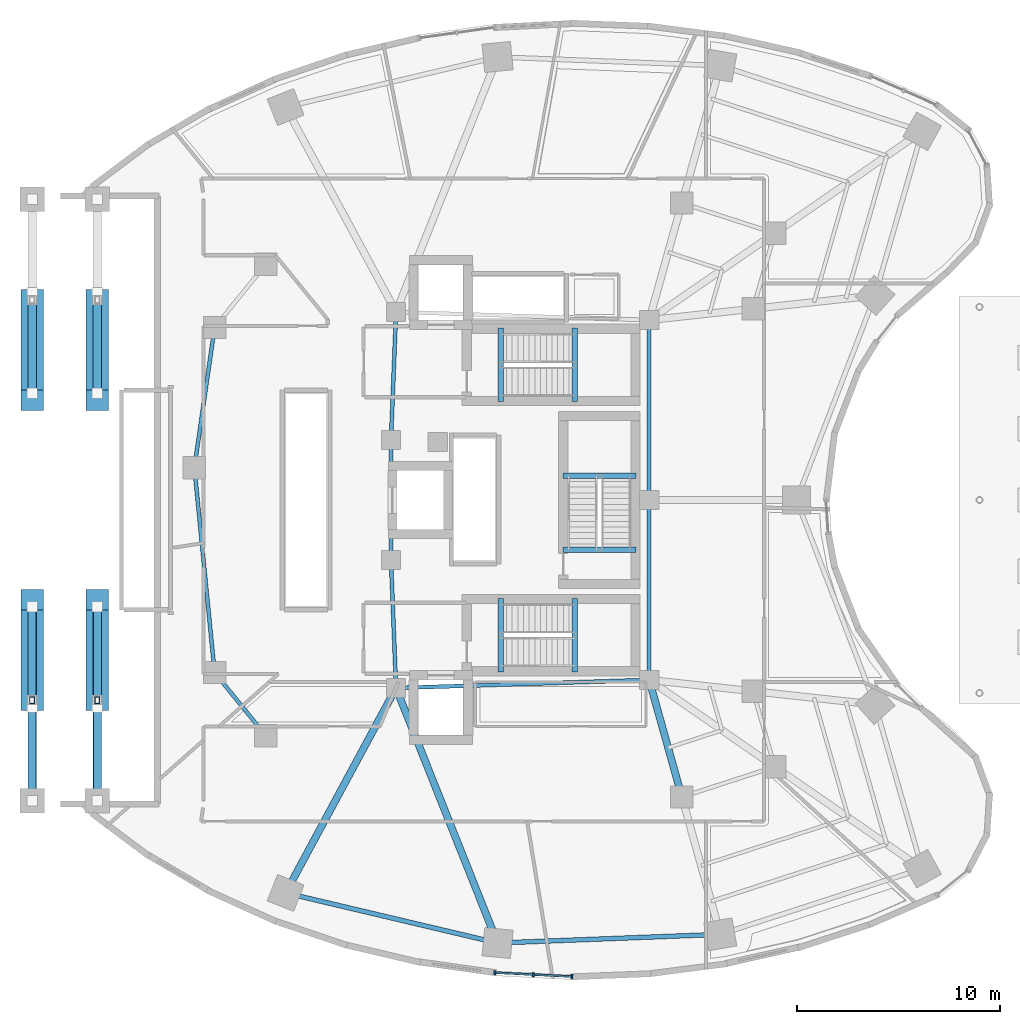
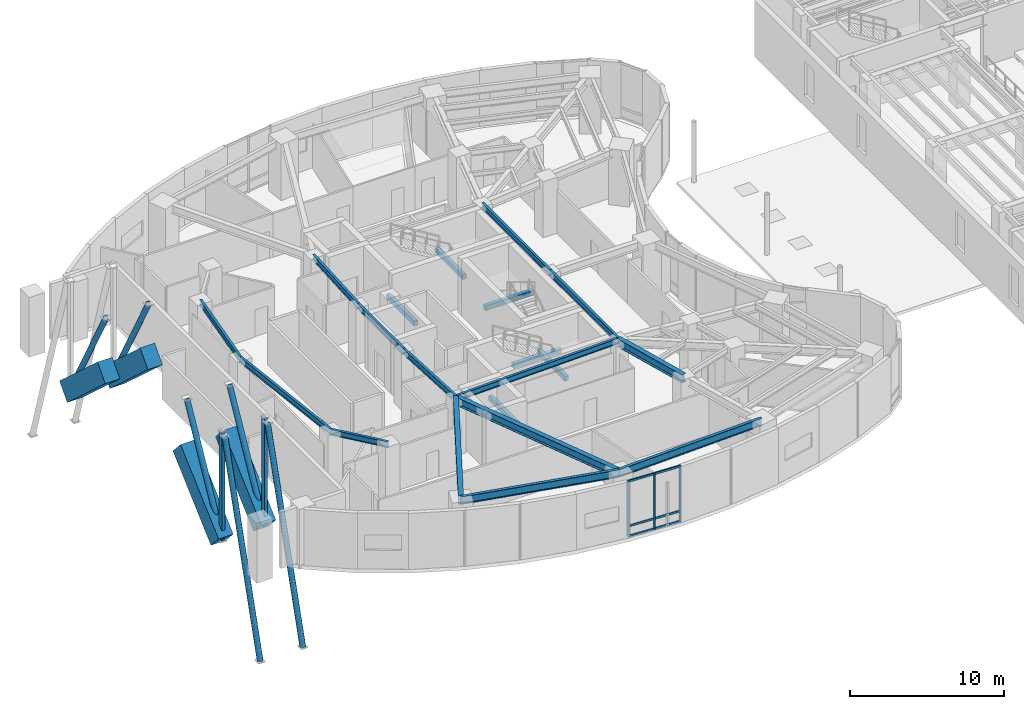
# One storey, part 6 of 24: 24 beams, 17 members, 1 element without a shape of its own.
"""IFC4 building model written with IfcOpenShell, lengths in metres."""

from ifc_helpers import new_model, si_unit, direction, frame, origin, origin_2d, place, context, subcontext, project, spatial, rectangle, hollow_rectangle, hollow_circle, i_section, extrude, material, layer, layer_set, material_profile, profile_set, type_object, element, aggregate, save


model = new_model("IFC4")

# Units and contexts
model_context = context("Model", 3, precision=1e-05, world=origin(), true_north=direction((0.0, 1.0)))
body_context = subcontext(model_context, "Body", "Model", "MODEL_VIEW")
ifc_project = project(units=[si_unit("LENGTHUNIT", "METRE"), si_unit("AREAUNIT", "SQUARE_METRE"), si_unit("VOLUMEUNIT", "CUBIC_METRE"), si_unit("PLANEANGLEUNIT", "RADIAN"), si_unit("MASSUNIT", "GRAM", prefix="KILO")], contexts=[model_context])

# Site, building, storey
site_placement = place(None, origin())
site = spatial("IfcSite", under=ifc_project, at=site_placement, CompositionType="ELEMENT")
building_placement = place(site_placement, origin())
building = spatial("IfcBuilding", under=site, at=building_placement, Name="Korentha Bioscience Tower", CompositionType="ELEMENT")
storey_placement = place(building_placement, frame((0.0, 0.0, 10.199951171875)))
storey = spatial("IfcBuildingStorey", under=building, at=storey_placement, Name="L02", CompositionType="ELEMENT", Elevation=10.199951171875)

# Members
ifc_material_1 = material(Name="Steel S355", Category="steel")
ifc_material_profile_1 = material_profile(ifc_material_1, hollow_circle(Radius=0.203125, WallThickness=0.02001953125, at=origin_2d()), Name="Steel S355")
ifc_profile_set_1 = profile_set([ifc_material_profile_1], Name="Steel S355 (AR-ST406)")
member_type_1 = type_object("IfcMemberType", Name="Arch Spandrel Diagonal Strut CHS 406.4x20", PredefinedType="STRUT", material=ifc_profile_set_1)
member_1_placement = place(storey_placement, frame((7.199951171875, 12.199951171875, -7.0), z_axis=(0.0, 0.292304060839, 0.956325434158), x_axis=(-1.0, 0.0, 0.0)))
element("IfcMember", 1, at=member_1_placement, inside=storey, type_object=member_type_1, Name="Parabolic Arch Spandrel Strut 1-1", PredefinedType="STRUT", context=body_context, shape_type="SweptSolid", body=[
    extrude(hollow_circle(Radius=0.203125, WallThickness=0.02001953125, at=origin_2d()), origin(), (0.0, 0.0, 1.0), 15.7373046875),
])
for number, where, z_axis, x_axis, name in (
    (2, (7.199951171875, 17.14990234375, -0.39990234375), (0.0, 0.478133685495, 0.878287070835), (-1.0, 0.0, 0.0), "Parabolic Arch Spandrel Strut 1-2"),
    (3, (7.199951171875, 36.85009765625, -0.39990234375), (0.0, -0.478133685495, 0.878287070835), (1.0, 0.0, 0.0), "Parabolic Arch Spandrel Strut 1-5"),
):
    element("IfcMember", number, at=place(storey_placement, frame(where, z_axis=z_axis, x_axis=x_axis)), inside=storey, type_object=member_type_1, Name=name, PredefinedType="STRUT", context=body_context, shape_type="SweptSolid", body=[
        extrude(hollow_circle(Radius=0.203125, WallThickness=0.02001953125, at=origin_2d()), origin(), (0.0, 0.0, 1.0), 9.620849609375),
    ])
member_2_placement = place(storey_placement, frame((10.39990234375, 12.199951171875, -7.0), z_axis=(0.0, 0.292304060839, 0.956325434158), x_axis=(-1.0, 0.0, 0.0)))
element("IfcMember", 4, at=member_2_placement, inside=storey, type_object=member_type_1, Name="Parabolic Arch Spandrel Strut 2-1", PredefinedType="STRUT", context=body_context, shape_type="SweptSolid", body=[
    extrude(hollow_circle(Radius=0.203125, WallThickness=0.02001953125, at=origin_2d()), origin(), (0.0, 0.0, 1.0), 15.7373046875),
])
for number, where, z_axis, x_axis, name in (
    (5, (10.39990234375, 17.14990234375, -0.39990234375), (0.0, 0.478133685495, 0.878287070835), (-1.0, 0.0, 0.0), "Parabolic Arch Spandrel Strut 2-2"),
    (6, (10.39990234375, 36.85009765625, -0.39990234375), (0.0, -0.478133685495, 0.878287070835), (1.0, 0.0, 0.0), "Parabolic Arch Spandrel Strut 2-5"),
):
    element("IfcMember", number, at=place(storey_placement, frame(where, z_axis=z_axis, x_axis=x_axis)), inside=storey, type_object=member_type_1, Name=name, PredefinedType="STRUT", context=body_context, shape_type="SweptSolid", body=[
        extrude(hollow_circle(Radius=0.203125, WallThickness=0.02001953125, at=origin_2d()), origin(), (0.0, 0.0, 1.0), 9.620849609375),
    ])
ifc_material_profile_2 = material_profile(ifc_material_1, hollow_rectangle(XDim=0.25, YDim=0.35009765625, WallThickness=0.01611328125, at=origin_2d()), Name="Steel S355")
ifc_profile_set_2 = profile_set([ifc_material_profile_2], Name="Steel S355 (BT-P350)")
member_type_2 = type_object("IfcMemberType", Name="Arch Spandrel Vertical Strut RHS 350x250x16", PredefinedType="STRUT", material=ifc_profile_set_2)
for number, where, z_axis, x_axis, name in (
    (7, (7.199951171875, 17.14990234375, -0.39990234375), (0.0, 0.0, 1.0), (1.0, 0.0, 0.0), "Parabolic Arch Spandrel Vertical 1-2"),
    (8, (10.39990234375, 17.14990234375, -0.39990234375), (0.0, 0.0, 1.0), (1.0, 0.0, 0.0), "Parabolic Arch Spandrel Vertical 2-2"),
):
    element("IfcMember", number, at=place(storey_placement, frame(where, z_axis=z_axis, x_axis=x_axis)), inside=storey, type_object=member_type_2, Name=name, PredefinedType="STRUT", context=body_context, shape_type="SweptSolid", body=[
        extrude(hollow_rectangle(XDim=0.25, YDim=0.35009765625, WallThickness=0.01611328125, at=origin_2d()), origin(), (0.0, 0.0, 1.0), 8.64990234375),
    ])

# Beams
ifc_material_2 = material(Name="Concrete C50", Category="concrete")
ifc_material_profile_3 = material_profile(ifc_material_2, rectangle(XDim=0.280029296875, YDim=0.3798828125, at=origin_2d()), Name="Concrete C50")
ifc_profile_set_3 = profile_set([ifc_material_profile_3], Name="Concrete C50 (ST-HB380)")
beam_type_1 = type_object("IfcBeamType", Name="Concrete Stair Header Beam RC 280x380", PredefinedType="BEAM", material=ifc_profile_set_3)
for number, where, z_axis, x_axis, name in (
    (9, (30.25, 31.85009765625, -0.18994140625), (0.0, 1.0, 0.0), (-1.0, 0.0, 0.0), "L02 ST-1 Concrete Stair Header Beam"),
    (10, (33.889892578125, 31.85009765625, 2.2099609375), (0.0, 1.0, 0.0), (-1.0, 0.0, 0.0), "L02 ST-1 Half-Landing Header Beam 1"),
    (11, (30.25, 18.550048828125, -0.18994140625), (0.0, 1.0, 0.0), (-1.0, 0.0, 0.0), "L02 ST-2 Concrete Stair Header Beam"),
    (12, (33.889892578125, 18.550048828125, 2.2099609375), (0.0, 1.0, 0.0), (-1.0, 0.0, 0.0), "L02 ST-2 Half-Landing Header Beam 1"),
    (13, (36.89990234375, 24.550048828125, -0.18994140625), (-1.0, 0.0, 0.0), (0.0, -1.0, 0.0), "L02 ST-3 Concrete Stair Header Beam"),
    (14, (36.89990234375, 28.18994140625, 2.2099609375), (-1.0, 0.0, 0.0), (0.0, -1.0, 0.0), "L02 ST-3 Half-Landing Header Beam 1"),
):
    element("IfcBeam", number, at=place(storey_placement, frame(where, z_axis=z_axis, x_axis=x_axis)), inside=storey, type_object=beam_type_1, Name=name, PredefinedType="BEAM", context=body_context, shape_type="SweptSolid", body=[
        extrude(rectangle(XDim=0.280029296875, YDim=0.3798828125, at=origin_2d()), origin(), (0.0, 0.0, 1.0), 3.599853515625),
    ])
ifc_material_profile_4 = material_profile(ifc_material_1, i_section(OverallWidth=0.18994140625, OverallDepth=0.45703125, WebThickness=0.009033203125, FlangeThickness=0.014404296875, at=origin_2d()), Name="Steel S355")
ifc_profile_set_4 = profile_set([ifc_material_profile_4], Name="Steel S355 (MB-460)")
beam_type_2 = type_object("IfcBeamType", Name="Mid-Ring Tie Girder W460x74", PredefinedType="BEAM", material=ifc_profile_set_4)
beam_1_placement = place(storey_placement, frame((16.174072265625, 35.489013671875, 4.221435546875), z_axis=(-0.14286846228, -0.989741684727, 0.0), x_axis=(0.989741684727, -0.14286846228, 0.0)))
element("IfcBeam", 15, at=beam_1_placement, inside=storey, type_object=beam_type_2, Name="L02 Mid-Ring Tie Girder 06", PredefinedType="BEAM", context=body_context, shape_type="SweptSolid", body=[
    extrude(i_section(OverallWidth=0.18994140625, OverallDepth=0.45703125, WebThickness=0.009033203125, FlangeThickness=0.014404296875, at=origin_2d()), origin(), (0.0, 0.0, 1.0), 6.967041015625),
])
beam_2_placement = place(storey_placement, frame((15.1787109375, 28.593505859375, 4.221435546875), z_axis=(0.098243909277, -0.995162365793, 0.0), x_axis=(0.995162365793, 0.098243909277, 0.0)))
element("IfcBeam", 16, at=beam_2_placement, inside=storey, type_object=beam_type_2, Name="L02 Mid-Ring Tie Girder 07", PredefinedType="BEAM", context=body_context, shape_type="SweptSolid", body=[
    extrude(i_section(OverallWidth=0.18994140625, OverallDepth=0.45703125, WebThickness=0.009033203125, FlangeThickness=0.014404296875, at=origin_2d()), origin(), (0.0, 0.0, 1.0), 10.131591796875),
])
beam_3_placement = place(storey_placement, frame((16.174072265625, 18.510986328125, 4.221435546875), z_axis=(0.629790009744, -0.776765436684, 0.0), x_axis=(0.776765436684, 0.629790009744, 0.0)))
element("IfcBeam", 17, at=beam_3_placement, inside=storey, type_object=beam_type_2, Name="L02 Mid-Ring Tie Girder 08", PredefinedType="BEAM", context=body_context, shape_type="SweptSolid", body=[
    extrude(i_section(OverallWidth=0.18994140625, OverallDepth=0.45703125, WebThickness=0.009033203125, FlangeThickness=0.014404296875, at=origin_2d()), origin(), (0.0, 0.0, 1.0), 3.998291015625),
])
beam_4_placement = place(storey_placement, frame((25.10009765625, 36.25, 4.221435546875), z_axis=(-0.039651025576, -0.999213588864, 0.0), x_axis=(0.999213588864, -0.039651025576, 0.0)))
element("IfcBeam", 18, at=beam_4_placement, inside=storey, type_object=beam_type_2, Name="L02 Core Ring Tie Girder 02", PredefinedType="BEAM", context=body_context, shape_type="SweptSolid", body=[
    extrude(i_section(OverallWidth=0.18994140625, OverallDepth=0.45703125, WebThickness=0.009033203125, FlangeThickness=0.014404296875, at=origin_2d()), origin(), (0.0, 0.0, 1.0), 6.304931640625),
])
beam_5_placement = place(storey_placement, frame((24.85009765625, 29.949951171875, 4.221435546875), z_axis=(0.0, -1.0, 0.0), x_axis=(1.0, 0.0, 0.0)))
element("IfcBeam", 19, at=beam_5_placement, inside=storey, type_object=beam_type_2, Name="L02 Core Ring Tie Girder 03", PredefinedType="BEAM", context=body_context, shape_type="SweptSolid", body=[
    extrude(i_section(OverallWidth=0.18994140625, OverallDepth=0.45703125, WebThickness=0.009033203125, FlangeThickness=0.014404296875, at=origin_2d()), origin(), (0.0, 0.0, 1.0), 5.89990234375),
])
beam_6_placement = place(storey_placement, frame((24.85009765625, 24.050048828125, 4.221435546875), z_axis=(0.039651025576, -0.999213588864, 0.0), x_axis=(0.999213588864, 0.039651025576, 0.0)))
element("IfcBeam", 20, at=beam_6_placement, inside=storey, type_object=beam_type_2, Name="L02 Core Ring Tie Girder 04", PredefinedType="BEAM", context=body_context, shape_type="SweptSolid", body=[
    extrude(i_section(OverallWidth=0.18994140625, OverallDepth=0.45703125, WebThickness=0.009033203125, FlangeThickness=0.014404296875, at=origin_2d()), origin(), (0.0, 0.0, 1.0), 6.304931640625),
])
beam_7_placement = place(storey_placement, frame((25.10009765625, 17.75, 4.221435546875), z_axis=(0.999484526071, 0.032104238723, 0.0), x_axis=(-0.032104238723, 0.999484526071, 0.0)))
element("IfcBeam", 21, at=beam_7_placement, inside=storey, type_object=beam_type_2, Name="L02 Core Ring Tie Girder 05", PredefinedType="BEAM", context=body_context, shape_type="SweptSolid", body=[
    extrude(i_section(OverallWidth=0.18994140625, OverallDepth=0.45703125, WebThickness=0.009033203125, FlangeThickness=0.014404296875, at=origin_2d()), origin(), (0.0, 0.0, 1.0), 12.456298828125),
])
for number, where, z_axis, x_axis, name in (
    (22, (37.550048828125, 18.14990234375, 4.221435546875), (0.0, 1.0, 0.0), (-1.0, 0.0, 0.0), "L02 Core Ring Tie Girder 06"),
    (23, (37.550048828125, 27.0, 4.221435546875), (0.0, 1.0, 0.0), (-1.0, 0.0, 0.0), "L02 Core Ring Tie Girder 07"),
):
    element("IfcBeam", number, at=place(storey_placement, frame(where, z_axis=z_axis, x_axis=x_axis)), inside=storey, type_object=beam_type_2, Name=name, PredefinedType="BEAM", context=body_context, shape_type="SweptSolid", body=[
        extrude(i_section(OverallWidth=0.18994140625, OverallDepth=0.45703125, WebThickness=0.009033203125, FlangeThickness=0.014404296875, at=origin_2d()), origin(), (0.0, 0.0, 1.0), 8.85009765625),
    ])

# Curtain wall, members
ifc_material_3 = material(Name="Stone-Clad Aluminium Frame", Category="masonry")
ifc_layer = layer(ifc_material_3, 0.219970703125, Name="Stone-Clad Aluminium Frame")
ifc_layer_set = layer_set([ifc_layer], Name="Stone-Clad Aluminium Frame (CW-P1)")
curtain_wall_type = type_object("IfcCurtainWallType", Name="Podium Double-Height Stone-Mullion Curtain Wall CW-P1", PredefinedType="USERDEFINED", material=ifc_layer_set)
curtain_wall_placement = place(storey_placement, origin())
curtain_wall = element("IfcCurtainWall", 24, at=curtain_wall_placement, inside=storey, type_object=curtain_wall_type, Name="L02 Curtain Wall 31", ObjectType="UNITISED", PredefinedType="USERDEFINED")
ifc_material_4 = material(Name="Anodised Aluminium 6063-T6", Category="aluminium")
ifc_material_profile_5 = material_profile(ifc_material_4, rectangle(XDim=0.090087890625, YDim=0.199951171875, at=origin_2d()), Name="Anodised Aluminium 6063-T6")
ifc_profile_set_5 = profile_set([ifc_material_profile_5], Name="Anodised Aluminium 6063-T6 (CW-MUL)")
member_type_3 = type_object("IfcMemberType", Name="Mullion RECT 90x200", PredefinedType="MULLION", material=ifc_profile_set_5)
member_3_placement = place(storey_placement, frame((29.9541015625, 3.75244140625, 0.0), z_axis=(0.0, 0.0, 1.0), x_axis=(0.998730551641, -0.050371472279, 0.0)))
member_3 = element("IfcMember", 25, at=member_3_placement, type_object=member_type_3, Name="CW-L02-31 Mullion 1", PredefinedType="MULLION", context=body_context, shape_type="SweptSolid", body=[
    extrude(rectangle(XDim=0.090087890625, YDim=0.199951171875, at=origin_2d()), origin(), (0.0, 0.0, 1.0), 4.449951171875),
])
member_4_placement = place(storey_placement, frame((31.855224609375, 3.656494140625, 0.0), z_axis=(0.0, 0.0, 1.0), x_axis=(0.998730551641, -0.050371472279, 0.0)))
member_4 = element("IfcMember", 26, at=member_4_placement, type_object=member_type_3, Name="CW-L02-31 Mullion 2", PredefinedType="MULLION", context=body_context, shape_type="SweptSolid", body=[
    extrude(rectangle(XDim=0.090087890625, YDim=0.199951171875, at=origin_2d()), origin(), (0.0, 0.0, 1.0), 4.449951171875),
])
member_5_placement = place(storey_placement, frame((33.75634765625, 3.560791015625, 0.0), z_axis=(0.0, 0.0, 1.0), x_axis=(0.998730551641, -0.050371472279, 0.0)))
member_5 = element("IfcMember", 27, at=member_5_placement, type_object=member_type_3, Name="CW-L02-31 Mullion 3", PredefinedType="MULLION", context=body_context, shape_type="SweptSolid", body=[
    extrude(rectangle(XDim=0.090087890625, YDim=0.199951171875, at=origin_2d()), origin(), (0.0, 0.0, 1.0), 4.449951171875),
])

# Beams
ifc_material_5 = material(Name="Concrete C80", Category="concrete")
ifc_material_profile_6 = material_profile(ifc_material_5, rectangle(XDim=1.10009765625, YDim=1.5, at=origin_2d()), Name="Concrete C80")
ifc_profile_set_6 = profile_set([ifc_material_profile_6], Name="Concrete C80 (AR-B1)")
beam_type_3 = type_object("IfcBeamType", Name="Parabolic Arch Rib Upper Chord 1500x1100", PredefinedType="USERDEFINED", material=ifc_profile_set_6)
for number, where, z_axis, x_axis, name in (
    (28, (7.199951171875, 17.14990234375, -0.39990234375), (0.0, 0.739953283768, 0.672658262301), (-1.0, 0.0, 0.0), "Parabolic Arch Rib Segment 1-2"),
    (29, (7.199951171875, 31.89990234375, 4.10009765625), (0.0, 0.739953283768, -0.672658262301), (-1.0, 0.0, 0.0), "Parabolic Arch Rib Segment 1-5"),
    (30, (10.39990234375, 17.14990234375, -0.39990234375), (0.0, 0.739953283768, 0.672658262301), (-1.0, 0.0, 0.0), "Parabolic Arch Rib Segment 2-2"),
    (31, (10.39990234375, 31.89990234375, 4.10009765625), (0.0, 0.739953283768, -0.672658262301), (-1.0, 0.0, 0.0), "Parabolic Arch Rib Segment 2-5"),
):
    element("IfcBeam", number, at=place(storey_placement, frame(where, z_axis=z_axis, x_axis=x_axis)), inside=storey, type_object=beam_type_3, Name=name, ObjectType="ARCH_RIB", PredefinedType="USERDEFINED", context=body_context, shape_type="SweptSolid", body=[
        extrude(rectangle(XDim=1.10009765625, YDim=1.5, at=origin_2d()), origin(), (0.0, 0.0, 1.0), 6.68994140625),
    ])
ifc_material_profile_7 = material_profile(ifc_material_1, i_section(OverallWidth=0.22802734375, OverallDepth=0.60791015625, WebThickness=0.01123046875, FlangeThickness=0.017333984375, at=origin_2d()), Name="Steel S355")
ifc_profile_set_7 = profile_set([ifc_material_profile_7], Name="Steel S355 (SB-610)")
beam_type_4 = type_object("IfcBeamType", Name="Perimeter Ring Spandrel Girder W610x113", PredefinedType="SPANDREL", material=ifc_profile_set_7)
beam_8_placement = place(storey_placement, frame((19.66650390625, 7.671142578125, 4.14599609375), z_axis=(0.973207885376, -0.229926970672, 0.0), x_axis=(0.229926970672, 0.973207885376, 0.0)))
element("IfcBeam", 32, at=beam_8_placement, inside=storey, type_object=beam_type_4, Name="L02 Perimeter Spandrel Girder 10", PredefinedType="SPANDREL", context=body_context, shape_type="SweptSolid", body=[
    extrude(i_section(OverallWidth=0.22802734375, OverallDepth=0.60791015625, WebThickness=0.01123046875, FlangeThickness=0.017333984375, at=origin_2d()), origin(), (0.0, 0.0, 1.0), 10.71484375),
])
beam_9_placement = place(storey_placement, frame((30.09423828125, 5.20751953125, 4.14599609375), z_axis=(0.999246003889, 0.03882555488, 0.0), x_axis=(-0.03882555488, 0.999246003889, 0.0)))
element("IfcBeam", 33, at=beam_9_placement, inside=storey, type_object=beam_type_4, Name="L02 Perimeter Spandrel Girder 11", PredefinedType="SPANDREL", context=body_context, shape_type="SweptSolid", body=[
    extrude(i_section(OverallWidth=0.22802734375, OverallDepth=0.60791015625, WebThickness=0.01123046875, FlangeThickness=0.017333984375, at=origin_2d()), origin(), (0.0, 0.0, 1.0), 10.966552734375),
])
ifc_material_profile_8 = material_profile(ifc_material_1, i_section(OverallWidth=0.35009765625, OverallDepth=0.64990234375, WebThickness=0.01611328125, FlangeThickness=0.02490234375, at=origin_2d()), Name="Steel S355")
ifc_profile_set_8 = profile_set([ifc_material_profile_8], Name="Steel S355 (RB-650)")
beam_type_5 = type_object("IfcBeamType", Name="Radial Laboratory Girder CVS 650x208", PredefinedType="BEAM", material=ifc_profile_set_8)
beam_10_placement = place(storey_placement, frame((25.10009765625, 17.75, 4.125), z_axis=(-0.47454097106, -0.880233416081, 0.0), x_axis=(0.880233416081, -0.47454097106, 0.0)))
element("IfcBeam", 34, at=beam_10_placement, inside=storey, type_object=beam_type_5, Name="L02 Radial Girder 10", PredefinedType="BEAM", context=body_context, shape_type="SweptSolid", body=[
    extrude(i_section(OverallWidth=0.35009765625, OverallDepth=0.64990234375, WebThickness=0.01611328125, FlangeThickness=0.02490234375, at=origin_2d()), origin(), (0.0, 0.0, 1.0), 11.4501953125),
])
beam_11_placement = place(storey_placement, frame((25.10009765625, 17.75, 4.125), z_axis=(0.369931007413, -0.929059228335, 0.0), x_axis=(0.929059228335, 0.369931007413, 0.0)))
element("IfcBeam", 35, at=beam_11_placement, inside=storey, type_object=beam_type_5, Name="L02 Radial Girder 11", PredefinedType="BEAM", context=body_context, shape_type="SweptSolid", body=[
    extrude(i_section(OverallWidth=0.35009765625, OverallDepth=0.64990234375, WebThickness=0.01611328125, FlangeThickness=0.02490234375, at=origin_2d()), origin(), (0.0, 0.0, 1.0), 13.500244140625),
])
beam_12_placement = place(storey_placement, frame((37.550048828125, 18.14990234375, 4.125), z_axis=(0.269469369205, -0.963008961049, 0.0), x_axis=(0.963008961049, 0.269469369205, 0.0)))
element("IfcBeam", 36, at=beam_12_placement, inside=storey, type_object=beam_type_5, Name="L02 Inner Radial Girder 12", PredefinedType="BEAM", context=body_context, shape_type="SweptSolid", body=[
    extrude(i_section(OverallWidth=0.35009765625, OverallDepth=0.64990234375, WebThickness=0.01611328125, FlangeThickness=0.02490234375, at=origin_2d()), origin(), (0.0, 0.0, 1.0), 5.978759765625),
])

# Member
ifc_material_profile_9 = material_profile(ifc_material_4, rectangle(XDim=0.090087890625, YDim=0.159912109375, at=origin_2d()), Name="Anodised Aluminium 6063-T6")
ifc_profile_set_9 = profile_set([ifc_material_profile_9], Name="Anodised Aluminium 6063-T6 (CW-TRN)")
member_type_4 = type_object("IfcMemberType", Name="Transom RECT 90x160", PredefinedType="USERDEFINED", material=ifc_profile_set_9)
member_6_placement = place(storey_placement, frame((29.9990234375, 3.750244140625, 0.045166015625), z_axis=(0.998731776836, -0.050347174085, 0.0), x_axis=(0.050347174085, 0.998731776836, 0.0)))
member_6 = element("IfcMember", 37, at=member_6_placement, type_object=member_type_4, Name="CW-L02-31 Bay 1 Transom 1", ObjectType="TRANSOM", PredefinedType="USERDEFINED", context=body_context, shape_type="SweptSolid", body=[
    extrude(rectangle(XDim=0.090087890625, YDim=0.159912109375, at=origin_2d()), origin(), (0.0, 0.0, 1.0), 1.8134765625),
])

member_7_placement = place(storey_placement, frame((29.9990234375, 3.750244140625, 0.85009765625), z_axis=(0.998731776836, -0.050347174085, 0.0), x_axis=(0.050347174085, 0.998731776836, 0.0)))
member_7 = element("IfcMember", 38, at=member_7_placement, type_object=member_type_4, Name="CW-L02-31 Bay 1 Transom 2", ObjectType="TRANSOM", PredefinedType="USERDEFINED", context=body_context, shape_type="SweptSolid", body=[
    extrude(rectangle(XDim=0.090087890625, YDim=0.159912109375, at=origin_2d()), origin(), (0.0, 0.0, 1.0), 1.8134765625),
])

member_8_placement = place(storey_placement, frame((29.9990234375, 3.750244140625, 4.405029296875), z_axis=(0.998731776836, -0.050347174085, 0.0), x_axis=(0.050347174085, 0.998731776836, 0.0)))
member_8 = element("IfcMember", 39, at=member_8_placement, type_object=member_type_4, Name="CW-L02-31 Bay 1 Transom 3", ObjectType="TRANSOM", PredefinedType="USERDEFINED", context=body_context, shape_type="SweptSolid", body=[
    extrude(rectangle(XDim=0.090087890625, YDim=0.159912109375, at=origin_2d()), origin(), (0.0, 0.0, 1.0), 1.8134765625),
])

member_9_placement = place(storey_placement, frame((31.900146484375, 3.654296875, 0.045166015625), z_axis=(0.998731776836, -0.050347174085, 0.0), x_axis=(0.050347174085, 0.998731776836, 0.0)))
member_9 = element("IfcMember", 40, at=member_9_placement, type_object=member_type_4, Name="CW-L02-31 Bay 2 Transom 1", ObjectType="TRANSOM", PredefinedType="USERDEFINED", context=body_context, shape_type="SweptSolid", body=[
    extrude(rectangle(XDim=0.090087890625, YDim=0.159912109375, at=origin_2d()), origin(), (0.0, 0.0, 1.0), 1.8134765625),
])

member_10_placement = place(storey_placement, frame((31.900146484375, 3.654296875, 0.85009765625), z_axis=(0.998731776836, -0.050347174085, 0.0), x_axis=(0.050347174085, 0.998731776836, 0.0)))
member_10 = element("IfcMember", 41, at=member_10_placement, type_object=member_type_4, Name="CW-L02-31 Bay 2 Transom 2", ObjectType="TRANSOM", PredefinedType="USERDEFINED", context=body_context, shape_type="SweptSolid", body=[
    extrude(rectangle(XDim=0.090087890625, YDim=0.159912109375, at=origin_2d()), origin(), (0.0, 0.0, 1.0), 1.8134765625),
])

member_11_placement = place(storey_placement, frame((31.900146484375, 3.654296875, 4.405029296875), z_axis=(0.998731776836, -0.050347174085, 0.0), x_axis=(0.050347174085, 0.998731776836, 0.0)))
member_11 = element("IfcMember", 42, at=member_11_placement, type_object=member_type_4, Name="CW-L02-31 Bay 2 Transom 3", ObjectType="TRANSOM", PredefinedType="USERDEFINED", context=body_context, shape_type="SweptSolid", body=[
    extrude(rectangle(XDim=0.090087890625, YDim=0.159912109375, at=origin_2d()), origin(), (0.0, 0.0, 1.0), 1.8134765625),
])

aggregate(curtain_wall, [member_3, member_4, member_5, member_6, member_7, member_8, member_9, member_10, member_11])

save(model, "model.ifc")
